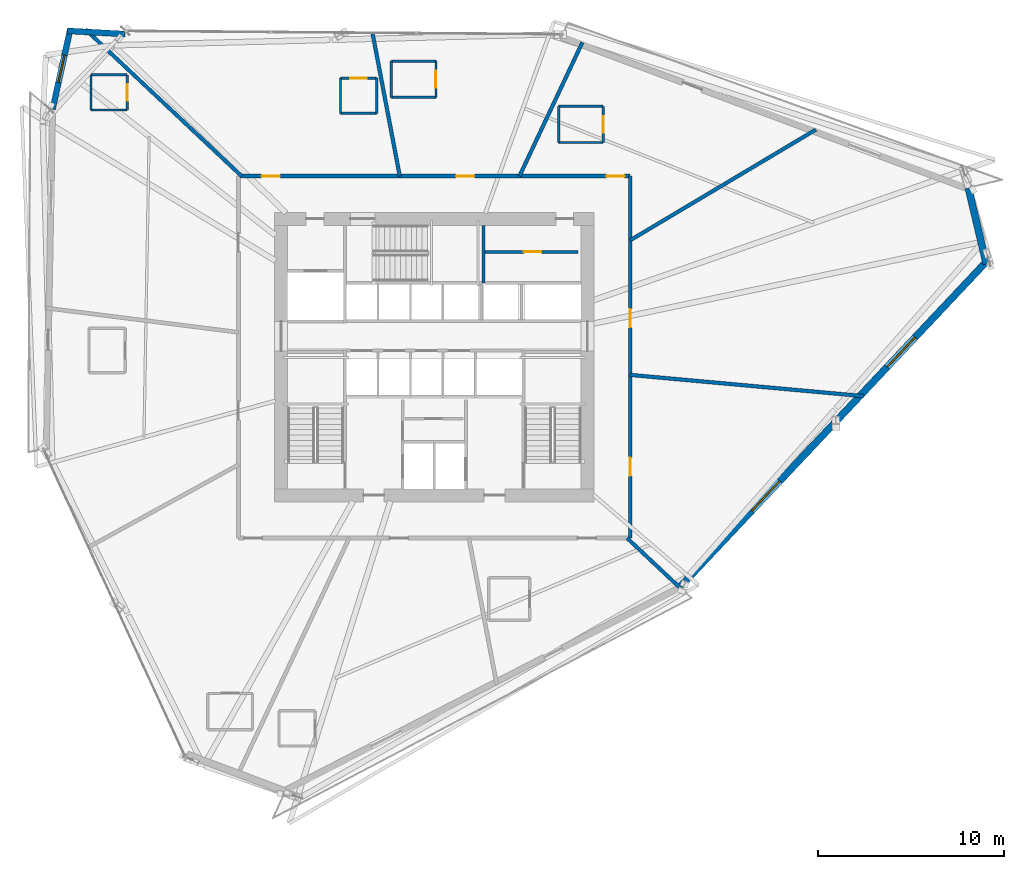
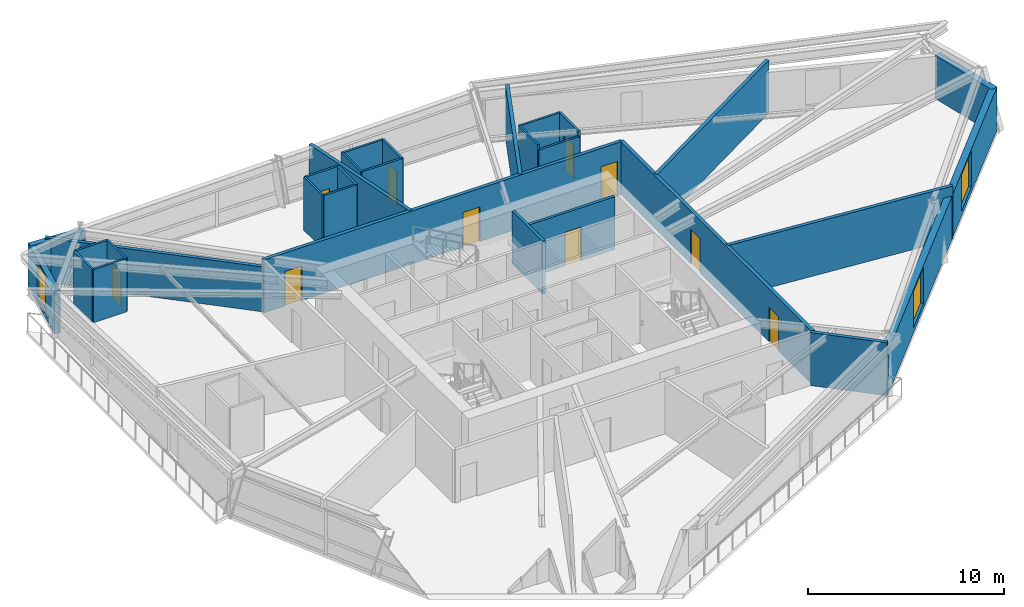
# One storey, part 17 of 22: 30 walls, 10 doors, 3 windows, 13 openings.
"""IFC4 building model written with IfcOpenShell, lengths in metres."""

from ifc_helpers import new_model, si_unit, direction, frame, frame_2d, origin, place, context, subcontext, project, spatial, rectangle, extrude, source, transform, mapped, material, layer, layer_set, type_object, type_shapes, element, fill, save


model = new_model("IFC4")

# Units and contexts
model_context = context("Model", 3, precision=1e-05, world=origin(), true_north=direction((0.0, 1.0)))
body_context = subcontext(model_context, "Body", "Model", "MODEL_VIEW")
ifc_project = project(units=[si_unit("LENGTHUNIT", "METRE"), si_unit("AREAUNIT", "SQUARE_METRE"), si_unit("VOLUMEUNIT", "CUBIC_METRE"), si_unit("PLANEANGLEUNIT", "RADIAN"), si_unit("MASSUNIT", "GRAM", prefix="KILO")], contexts=[model_context])

# Site, building, storey
site_placement = place(None, origin())
site = spatial("IfcSite", under=ifc_project, at=site_placement, CompositionType="ELEMENT")
building_placement = place(site_placement, origin())
building = spatial("IfcBuilding", under=site, at=building_placement, Name="Olszyna Solenne Hotel", CompositionType="ELEMENT")
storey_placement = place(building_placement, frame((0.0, 0.0, 95.050048828125)))
storey = spatial("IfcBuildingStorey", under=building, at=storey_placement, Name="L24", CompositionType="ELEMENT", Elevation=95.050048828125)

# Wall, opening, window
ifc_material_1 = material(Name="Precast concrete C45/55", Category="concrete")
ifc_layer_1 = layer(ifc_material_1, 0.320068359375, Name="Precast concrete C45/55")
ifc_layer_set_1 = layer_set([ifc_layer_1], Name="Precast concrete C45/55")
wall_type_1 = type_object("IfcWallType", Name="WL-EX320", PredefinedType="SOLIDWALL", material=ifc_layer_set_1)
wall_1_placement = place(storey_placement, frame((17.434814453125, 39.94775390625, 0.0), z_axis=(0.0, 0.0, 1.0), x_axis=(0.215641796387, 0.97647253707, 0.0)))
wall_1 = element("IfcWall", 1, at=wall_1_placement, inside=storey, type_object=wall_type_1, Name="Exterior terracotta-precast frame wall WL-EX320 EW-L24-05", PredefinedType="SOLIDWALL", context=body_context, shape_type="SweptSolid", body=[
    extrude(rectangle(XDim=4.453857421875, YDim=0.320068359375, at=frame_2d((2.22705078125, 0.0))), origin(), (0.0, 0.0, 1.0), 2.69189453125),
])
opening_1_placement = place(wall_1_placement, frame((1.47705078125, 0.0, 0.27197265625)))
opening_1 = element("IfcOpeningElement", 2, at=opening_1_placement, cuts=wall_1, Name="Opening WN-L24-129", PredefinedType="OPENING", context=body_context, shape_type="SweptSolid", body=[
    extrude(rectangle(XDim=1.5, YDim=2.300048828125, at=frame_2d((0.75, 1.14990234375))), frame((0.0, 0.169921875, 0.0), z_axis=(0.0, -1.0, 0.0), x_axis=(1.0, 0.0, 0.0)), (0.0, 0.0, 1.0), 0.340087890625),
])
ifc_material_2 = material(Name="Low-E triple glazing", Category="glass")
window_type_1 = type_object("IfcWindowType", Name="WN-CH1", PartitioningType="SINGLE_PANEL", PredefinedType="WINDOW", material=ifc_material_2)
shared_shape_1 = source(origin(), body_context, "Body", "SweptSolid", [
    extrude(rectangle(XDim=1.5, YDim=2.300048828125, at=frame_2d((0.75, 1.14990234375))), frame((0.0, 0.030029296875, 0.0), z_axis=(0.0, -1.0, 0.0), x_axis=(1.0, 0.0, 0.0)), (0.0, 0.0, 1.0), 0.06005859375),
])
type_shapes(window_type_1, [shared_shape_1])
window_1_placement = place(opening_1_placement, origin())
window_1 = element("IfcWindow", 3, at=window_1_placement, inside=storey, type_object=window_type_1, Name="Exterior facade window WN-CH1 WN-L24-129", OverallHeight=2.300048828125, OverallWidth=1.5, PartitioningType="SINGLE_PANEL", PredefinedType="WINDOW", context=body_context, shape_type="MappedRepresentation", body=[
    mapped(shared_shape_1, transform((0.0, 0.0, 0.0), x_axis=(1.0, 0.0, 0.0), y_axis=(0.0, 1.0, 0.0), z_axis=(0.0, 0.0, 1.0), scale=1.0)),
])
fill(opening_1, window_1)

# Walls
wall_2_placement = place(storey_placement, frame((18.22998046875, 44.171630859375, 0.0), z_axis=(0.0, 0.0, 1.0), x_axis=(0.998463722638, -0.055409336544, 0.0)))
element("IfcWall", 4, at=wall_2_placement, inside=storey, type_object=wall_type_1, Name="Exterior terracotta-precast frame wall WL-EX320 EW-L24-06", PredefinedType="SOLIDWALL", context=body_context, shape_type="SweptSolid", body=[
    extrude(rectangle(XDim=3.11962890625, YDim=0.320068359375, at=frame_2d((1.559814453125, 0.0))), origin(), (0.0, 0.0, 1.0), 2.69189453125),
])
ifc_material_3 = material(Name="Terracotta cladding on precast concrete C45/55", Category="masonry")
ifc_layer_2 = layer(ifc_material_3, 0.3798828125, Name="Terracotta cladding on precast concrete C45/55")
ifc_layer_set_2 = layer_set([ifc_layer_2], Name="Terracotta cladding on precast concrete C45/55")
wall_type_2 = type_object("IfcWallType", Name="WL-EX380", PredefinedType="SOLIDWALL", material=ifc_layer_set_2)
wall_3_placement = place(storey_placement, frame((66.76953125, 35.70751953125, 0.0), z_axis=(0.0, 0.0, 1.0), x_axis=(0.229223557935, -0.973373803062, 0.0)))
element("IfcWall", 5, at=wall_3_placement, inside=storey, type_object=wall_type_2, Name="Exterior terracotta-precast frame wall WL-EX380 EW-L24-09", PredefinedType="SOLIDWALL", context=body_context, shape_type="SweptSolid", body=[
    extrude(rectangle(XDim=4.210205078125, YDim=0.3798828125, at=frame_2d((2.10498046875, 0.0))), origin(), (0.0, 0.0, 1.0), 2.69189453125),
])

# Wall, openings, windows
wall_4_placement = place(storey_placement, frame((67.78125, 31.783203125, 0.0), z_axis=(0.0, 0.0, 1.0), x_axis=(-0.68571495336, -0.727870182614, 0.0)))
wall_4 = element("IfcWall", 6, at=wall_4_placement, inside=storey, type_object=wall_type_2, Name="Exterior terracotta-precast frame wall WL-EX380 EW-L24-10", PredefinedType="SOLIDWALL", context=body_context, shape_type="SweptSolid", body=[
    extrude(rectangle(XDim=24.150390625, YDim=0.3798828125, at=frame_2d((12.0751953125, 0.0))), origin(), (0.0, 0.0, 1.0), 2.69189453125),
])
opening_2_placement = place(wall_4_placement, frame((5.662109375, 0.0, 0.322021484375)))
opening_2 = element("IfcOpeningElement", 7, at=opening_2_placement, cuts=wall_4, Name="Opening WN-L24-131", PredefinedType="OPENING", context=body_context, shape_type="SweptSolid", body=[
    extrude(rectangle(XDim=2.199951171875, YDim=2.25, at=frame_2d((1.10009765625, 1.125))), frame((0.0, 0.199951171875, 0.0), z_axis=(0.0, -1.0, 0.0), x_axis=(1.0, 0.0, 0.0)), (0.0, 0.0, 1.0), 0.39990234375),
])
opening_3_placement = place(wall_4_placement, frame((16.2880859375, 0.0, 0.322021484375)))
opening_3 = element("IfcOpeningElement", 8, at=opening_3_placement, cuts=wall_4, Name="Opening WN-L24-132", PredefinedType="OPENING", context=body_context, shape_type="SweptSolid", body=[
    extrude(rectangle(XDim=2.199951171875, YDim=2.25, at=frame_2d((1.10009765625, 1.125))), frame((0.0, 0.199951171875, 0.0), z_axis=(0.0, -1.0, 0.0), x_axis=(1.0, 0.0, 0.0)), (0.0, 0.0, 1.0), 0.39990234375),
])
window_type_2 = type_object("IfcWindowType", Name="WN-HT2", PartitioningType="SINGLE_PANEL", PredefinedType="WINDOW", material=ifc_material_2)
shared_shape_2 = source(origin(), body_context, "Body", "SweptSolid", [
    extrude(rectangle(XDim=2.199951171875, YDim=2.25, at=frame_2d((1.10009765625, 1.125))), frame((0.0, 0.030029296875, 0.0), z_axis=(0.0, -1.0, 0.0), x_axis=(1.0, 0.0, 0.0)), (0.0, 0.0, 1.0), 0.06005859375),
])
type_shapes(window_type_2, [shared_shape_2])
window_2_placement = place(opening_2_placement, origin())
window_2 = element("IfcWindow", 9, at=window_2_placement, inside=storey, type_object=window_type_2, Name="Exterior facade window WN-HT2 WN-L24-131", OverallHeight=2.25, OverallWidth=2.199951171875, PartitioningType="SINGLE_PANEL", PredefinedType="WINDOW", context=body_context, shape_type="MappedRepresentation", body=[
    mapped(shared_shape_2, transform((0.0, 0.0, 0.0), x_axis=(1.0, 0.0, 0.0), y_axis=(0.0, 1.0, 0.0), z_axis=(0.0, 0.0, 1.0), scale=1.0)),
])
fill(opening_2, window_2)
window_3_placement = place(opening_3_placement, origin())
window_3 = element("IfcWindow", 10, at=window_3_placement, inside=storey, type_object=window_type_2, Name="Exterior facade window WN-HT2 WN-L24-132", OverallHeight=2.25, OverallWidth=2.199951171875, PartitioningType="SINGLE_PANEL", PredefinedType="WINDOW", context=body_context, shape_type="MappedRepresentation", body=[
    mapped(shared_shape_2, transform((0.0, 0.0, 0.0), x_axis=(1.0, 0.0, 0.0), y_axis=(0.0, 1.0, 0.0), z_axis=(0.0, 0.0, 1.0), scale=1.0)),
])
fill(opening_3, window_3)

# Wall, opening, door
ifc_material_4 = material(Name="Acoustic gypsum partition", Category="gypsum")
ifc_layer_3 = layer(ifc_material_4, 0.125, Name="Acoustic gypsum partition")
ifc_layer_set_3 = layer_set([ifc_layer_3], Name="Acoustic gypsum partition")
wall_type_3 = type_object("IfcWallType", Name="WL-PT125", PredefinedType="PARTITIONING", material=ifc_layer_set_3)
wall_5_placement = place(storey_placement, frame((38.087890625, 40.587890625, 0.0), z_axis=(0.0, 0.0, 1.0), x_axis=(0.0, 1.0, 0.0)))
wall_5 = element("IfcWall", 11, at=wall_5_placement, inside=storey, type_object=wall_type_3, Name="Interior acoustic partition WL-PT125 PW-L24-1381", PredefinedType="PARTITIONING", context=body_context, shape_type="SweptSolid", body=[
    extrude(rectangle(XDim=1.9501953125, YDim=0.125, at=frame_2d((0.97509765625, 0.0))), origin(), (0.0, 0.0, 1.0), 3.300048828125),
])
opening_4_placement = place(wall_5_placement, frame((0.52490234375, 0.0, 0.0)))
opening_4 = element("IfcOpeningElement", 12, at=opening_4_placement, cuts=wall_5, Name="Opening DR-L24-0322", PredefinedType="OPENING", context=body_context, shape_type="SweptSolid", body=[
    extrude(rectangle(XDim=0.89990234375, YDim=2.10009765625, at=frame_2d((0.449951171875, 1.050048828125))), frame((0.0, 0.072509765625, 0.0), z_axis=(0.0, -1.0, 0.0), x_axis=(1.0, 0.0, 0.0)), (0.0, 0.0, 1.0), 0.14501953125),
])
ifc_material_5 = material(Name="Timber hardwood", Category="wood")
door_type_1 = type_object("IfcDoorType", Name="DR-WC1", OperationType="NOTDEFINED", PredefinedType="DOOR", material=ifc_material_5)
shared_shape_3 = source(origin(), body_context, "Body", "SweptSolid", [
    extrude(rectangle(XDim=0.89990234375, YDim=2.10009765625, at=frame_2d((0.449951171875, 1.050048828125))), frame((0.0, 0.02490234375, 0.0), z_axis=(0.0, -1.0, 0.0), x_axis=(1.0, 0.0, 0.0)), (0.0, 0.0, 1.0), 0.050048828125),
])
type_shapes(door_type_1, [shared_shape_3])
door_1_placement = place(opening_4_placement, origin())
door_1 = element("IfcDoor", 13, at=door_1_placement, inside=storey, type_object=door_type_1, Name="En-Suite Bathroom Door DR-L24-0322", OperationType="SINGLE_SWING_LEFT", OverallHeight=2.10009765625, OverallWidth=0.89990234375, PredefinedType="DOOR", context=body_context, shape_type="MappedRepresentation", body=[
    mapped(shared_shape_3, transform((0.0, 0.0, 0.0), x_axis=(1.0, 0.0, 0.0), y_axis=(0.0, 1.0, 0.0), z_axis=(0.0, 0.0, 1.0), scale=1.0)),
])
fill(opening_4, door_1)

# Walls
wall_6_placement = place(storey_placement, frame((38.087890625, 42.5380859375, 0.0), z_axis=(0.0, 0.0, 1.0), x_axis=(-1.0, 0.0, 0.0)))
element("IfcWall", 14, at=wall_6_placement, inside=storey, type_object=wall_type_3, Name="Interior acoustic partition WL-PT125 PW-L24-1382", PredefinedType="PARTITIONING", context=body_context, shape_type="SweptSolid", body=[
    extrude(rectangle(XDim=2.39990234375, YDim=0.125, at=frame_2d((1.199951171875, 0.0))), origin(), (0.0, 0.0, 1.0), 3.300048828125),
])
wall_7_placement = place(storey_placement, frame((35.68798828125, 42.5380859375, 0.0), z_axis=(0.0, 0.0, 1.0), x_axis=(0.0, -1.0, 0.0)))
element("IfcWall", 15, at=wall_7_placement, inside=storey, type_object=wall_type_3, Name="Interior acoustic partition WL-PT125 PW-L24-1383", PredefinedType="PARTITIONING", context=body_context, shape_type="SweptSolid", body=[
    extrude(rectangle(XDim=1.9501953125, YDim=0.125, at=frame_2d((0.97509765625, 0.0))), origin(), (0.0, 0.0, 1.0), 3.300048828125),
])
wall_8_placement = place(storey_placement, frame((35.68798828125, 40.587890625, 0.0), z_axis=(0.0, 0.0, 1.0), x_axis=(1.0, 0.0, 0.0)))
element("IfcWall", 16, at=wall_8_placement, inside=storey, type_object=wall_type_3, Name="Interior acoustic partition WL-PT125 PW-L24-1384", PredefinedType="PARTITIONING", context=body_context, shape_type="SweptSolid", body=[
    extrude(rectangle(XDim=2.39990234375, YDim=0.125, at=frame_2d((1.199951171875, 0.0))), origin(), (0.0, 0.0, 1.0), 3.300048828125),
])
wall_9_placement = place(storey_placement, frame((34.89599609375, 39.72607421875, 0.0), z_axis=(0.0, 0.0, 1.0), x_axis=(0.0, 1.0, 0.0)))
element("IfcWall", 17, at=wall_9_placement, inside=storey, type_object=wall_type_3, Name="Interior acoustic partition WL-PT125 PW-L24-1385", PredefinedType="PARTITIONING", context=body_context, shape_type="SweptSolid", body=[
    extrude(rectangle(XDim=1.89990234375, YDim=0.125, at=frame_2d((0.949951171875, 0.0))), origin(), (0.0, 0.0, 1.0), 3.300048828125),
])

# Wall, opening, door
wall_10_placement = place(storey_placement, frame((34.89599609375, 41.6259765625, 0.0), z_axis=(0.0, 0.0, 1.0), x_axis=(-1.0, 0.0, 0.0)))
wall_10 = element("IfcWall", 18, at=wall_10_placement, inside=storey, type_object=wall_type_3, Name="Interior acoustic partition WL-PT125 PW-L24-1386", PredefinedType="PARTITIONING", context=body_context, shape_type="SweptSolid", body=[
    extrude(rectangle(XDim=1.949951171875, YDim=0.125, at=frame_2d((0.97509765625, 0.0))), origin(), (0.0, 0.0, 1.0), 3.300048828125),
])
opening_5_placement = place(wall_10_placement, frame((0.52490234375, 0.0, 0.0)))
opening_5 = element("IfcOpeningElement", 19, at=opening_5_placement, cuts=wall_10, Name="Opening DR-L24-0323", PredefinedType="OPENING", context=body_context, shape_type="SweptSolid", body=[
    extrude(rectangle(XDim=0.89990234375, YDim=2.10009765625, at=frame_2d((0.449951171875, 1.050048828125))), frame((0.0, 0.072509765625, 0.0), z_axis=(0.0, -1.0, 0.0), x_axis=(1.0, 0.0, 0.0)), (0.0, 0.0, 1.0), 0.14501953125),
])
door_2_placement = place(opening_5_placement, origin())
door_2 = element("IfcDoor", 20, at=door_2_placement, inside=storey, type_object=door_type_1, Name="En-Suite Bathroom Door DR-L24-0323", OperationType="SINGLE_SWING_RIGHT", OverallHeight=2.10009765625, OverallWidth=0.89990234375, PredefinedType="DOOR", context=body_context, shape_type="MappedRepresentation", body=[
    mapped(shared_shape_3, transform((0.0, 0.0, 0.0), x_axis=(1.0, 0.0, 0.0), y_axis=(0.0, 1.0, 0.0), z_axis=(0.0, 0.0, 1.0), scale=1.0)),
])
fill(opening_5, door_2)

# Walls
wall_11_placement = place(storey_placement, frame((32.946044921875, 41.6259765625, 0.0), z_axis=(0.0, 0.0, 1.0), x_axis=(0.0, -1.0, 0.0)))
element("IfcWall", 21, at=wall_11_placement, inside=storey, type_object=wall_type_3, Name="Interior acoustic partition WL-PT125 PW-L24-1387", PredefinedType="PARTITIONING", context=body_context, shape_type="SweptSolid", body=[
    extrude(rectangle(XDim=1.89990234375, YDim=0.125, at=frame_2d((0.949951171875, 0.0))), origin(), (0.0, 0.0, 1.0), 3.300048828125),
])
wall_12_placement = place(storey_placement, frame((32.946044921875, 39.72607421875, 0.0), z_axis=(0.0, 0.0, 1.0), x_axis=(1.0, 0.0, 0.0)))
element("IfcWall", 22, at=wall_12_placement, inside=storey, type_object=wall_type_3, Name="Interior acoustic partition WL-PT125 PW-L24-1388", PredefinedType="PARTITIONING", context=body_context, shape_type="SweptSolid", body=[
    extrude(rectangle(XDim=1.949951171875, YDim=0.125, at=frame_2d((0.97509765625, 0.0))), origin(), (0.0, 0.0, 1.0), 3.300048828125),
])

# Wall, opening, door
wall_13_placement = place(storey_placement, frame((21.458984375, 39.906005859375, 0.0), z_axis=(0.0, 0.0, 1.0), x_axis=(0.0, 1.0, 0.0)))
wall_13 = element("IfcWall", 23, at=wall_13_placement, inside=storey, type_object=wall_type_3, Name="Interior acoustic partition WL-PT125 PW-L24-1389", PredefinedType="PARTITIONING", context=body_context, shape_type="SweptSolid", body=[
    extrude(rectangle(XDim=1.89990234375, YDim=0.125, at=frame_2d((0.949951171875, 0.0))), origin(), (0.0, 0.0, 1.0), 3.300048828125),
])
opening_6_placement = place(wall_13_placement, frame((0.5, 0.0, 0.0)))
opening_6 = element("IfcOpeningElement", 24, at=opening_6_placement, cuts=wall_13, Name="Opening DR-L24-0324", PredefinedType="OPENING", context=body_context, shape_type="SweptSolid", body=[
    extrude(rectangle(XDim=0.89990234375, YDim=2.10009765625, at=frame_2d((0.449951171875, 1.050048828125))), frame((0.0, 0.072509765625, 0.0), z_axis=(0.0, -1.0, 0.0), x_axis=(1.0, 0.0, 0.0)), (0.0, 0.0, 1.0), 0.14501953125),
])
door_3_placement = place(opening_6_placement, origin())
door_3 = element("IfcDoor", 25, at=door_3_placement, inside=storey, type_object=door_type_1, Name="En-Suite Bathroom Door DR-L24-0324", OperationType="SINGLE_SWING_LEFT", OverallHeight=2.10009765625, OverallWidth=0.89990234375, PredefinedType="DOOR", context=body_context, shape_type="MappedRepresentation", body=[
    mapped(shared_shape_3, transform((0.0, 0.0, 0.0), x_axis=(1.0, 0.0, 0.0), y_axis=(0.0, 1.0, 0.0), z_axis=(0.0, 0.0, 1.0), scale=1.0)),
])
fill(opening_6, door_3)

# Walls
wall_14_placement = place(storey_placement, frame((21.458984375, 41.805908203125, 0.0), z_axis=(0.0, 0.0, 1.0), x_axis=(-1.0, 0.0, 0.0)))
element("IfcWall", 26, at=wall_14_placement, inside=storey, type_object=wall_type_3, Name="Interior acoustic partition WL-PT125 PW-L24-1390", PredefinedType="PARTITIONING", context=body_context, shape_type="SweptSolid", body=[
    extrude(rectangle(XDim=1.949951171875, YDim=0.125, at=frame_2d((0.97509765625, 0.0))), origin(), (0.0, 0.0, 1.0), 3.300048828125),
])
wall_15_placement = place(storey_placement, frame((19.509033203125, 41.805908203125, 0.0), z_axis=(0.0, 0.0, 1.0), x_axis=(0.0, -1.0, 0.0)))
element("IfcWall", 27, at=wall_15_placement, inside=storey, type_object=wall_type_3, Name="Interior acoustic partition WL-PT125 PW-L24-1391", PredefinedType="PARTITIONING", context=body_context, shape_type="SweptSolid", body=[
    extrude(rectangle(XDim=1.89990234375, YDim=0.125, at=frame_2d((0.949951171875, 0.0))), origin(), (0.0, 0.0, 1.0), 3.300048828125),
])
wall_16_placement = place(storey_placement, frame((19.509033203125, 39.906005859375, 0.0), z_axis=(0.0, 0.0, 1.0), x_axis=(1.0, 0.0, 0.0)))
element("IfcWall", 28, at=wall_16_placement, inside=storey, type_object=wall_type_3, Name="Interior acoustic partition WL-PT125 PW-L24-1392", PredefinedType="PARTITIONING", context=body_context, shape_type="SweptSolid", body=[
    extrude(rectangle(XDim=1.949951171875, YDim=0.125, at=frame_2d((0.97509765625, 0.0))), origin(), (0.0, 0.0, 1.0), 3.300048828125),
])

# Wall, opening, door
wall_17_placement = place(storey_placement, frame((47.094970703125, 38.154052734375, 0.0), z_axis=(0.0, 0.0, 1.0), x_axis=(0.0, 1.0, 0.0)))
wall_17 = element("IfcWall", 29, at=wall_17_placement, inside=storey, type_object=wall_type_3, Name="Interior acoustic partition WL-PT125 PW-L24-1409", PredefinedType="PARTITIONING", context=body_context, shape_type="SweptSolid", body=[
    extrude(rectangle(XDim=1.949951171875, YDim=0.125, at=frame_2d((0.97509765625, 0.0))), origin(), (0.0, 0.0, 1.0), 3.300048828125),
])
opening_7_placement = place(wall_17_placement, frame((0.52490234375, 0.0, 0.0)))
opening_7 = element("IfcOpeningElement", 30, at=opening_7_placement, cuts=wall_17, Name="Opening DR-L24-0329", PredefinedType="OPENING", context=body_context, shape_type="SweptSolid", body=[
    extrude(rectangle(XDim=0.89990234375, YDim=2.10009765625, at=frame_2d((0.449951171875, 1.050048828125))), frame((0.0, 0.072509765625, 0.0), z_axis=(0.0, -1.0, 0.0), x_axis=(1.0, 0.0, 0.0)), (0.0, 0.0, 1.0), 0.14501953125),
])
door_4_placement = place(opening_7_placement, origin())
door_4 = element("IfcDoor", 31, at=door_4_placement, inside=storey, type_object=door_type_1, Name="En-Suite Bathroom Door DR-L24-0329", OperationType="SINGLE_SWING_LEFT", OverallHeight=2.10009765625, OverallWidth=0.89990234375, PredefinedType="DOOR", context=body_context, shape_type="MappedRepresentation", body=[
    mapped(shared_shape_3, transform((0.0, 0.0, 0.0), x_axis=(1.0, 0.0, 0.0), y_axis=(0.0, 1.0, 0.0), z_axis=(0.0, 0.0, 1.0), scale=1.0)),
])
fill(opening_7, door_4)

# Walls
wall_18_placement = place(storey_placement, frame((47.094970703125, 40.10400390625, 0.0), z_axis=(0.0, 0.0, 1.0), x_axis=(-1.0, 0.0, 0.0)))
element("IfcWall", 32, at=wall_18_placement, inside=storey, type_object=wall_type_3, Name="Interior acoustic partition WL-PT125 PW-L24-1410", PredefinedType="PARTITIONING", context=body_context, shape_type="SweptSolid", body=[
    extrude(rectangle(XDim=2.39990234375, YDim=0.125, at=frame_2d((1.199951171875, 0.0))), origin(), (0.0, 0.0, 1.0), 3.300048828125),
])
wall_19_placement = place(storey_placement, frame((44.695068359375, 40.10400390625, 0.0), z_axis=(0.0, 0.0, 1.0), x_axis=(0.0, -1.0, 0.0)))
element("IfcWall", 33, at=wall_19_placement, inside=storey, type_object=wall_type_3, Name="Interior acoustic partition WL-PT125 PW-L24-1411", PredefinedType="PARTITIONING", context=body_context, shape_type="SweptSolid", body=[
    extrude(rectangle(XDim=1.949951171875, YDim=0.125, at=frame_2d((0.97509765625, 0.0))), origin(), (0.0, 0.0, 1.0), 3.300048828125),
])
wall_20_placement = place(storey_placement, frame((44.695068359375, 38.154052734375, 0.0), z_axis=(0.0, 0.0, 1.0), x_axis=(1.0, 0.0, 0.0)))
element("IfcWall", 34, at=wall_20_placement, inside=storey, type_object=wall_type_3, Name="Interior acoustic partition WL-PT125 PW-L24-1412", PredefinedType="PARTITIONING", context=body_context, shape_type="SweptSolid", body=[
    extrude(rectangle(XDim=2.39990234375, YDim=0.125, at=frame_2d((1.199951171875, 0.0))), origin(), (0.0, 0.0, 1.0), 2.98486328125),
])
ifc_layer_4 = layer(ifc_material_4, 0.159912109375, Name="Acoustic gypsum partition")
ifc_layer_set_4 = layer_set([ifc_layer_4], Name="Acoustic gypsum partition")
wall_type_4 = type_object("IfcWallType", Name="WL-PT160", PredefinedType="PARTITIONING", material=ifc_layer_set_4)
wall_21_placement = place(storey_placement, frame((40.659912109375, 30.60009765625, 0.0), z_axis=(0.0, 0.0, 1.0), x_axis=(0.0, 1.0, 0.0)))
element("IfcWall", 35, at=wall_21_placement, inside=storey, type_object=wall_type_4, Name="Core shaft compartment wall CW-L24-ST3E", PredefinedType="PARTITIONING", context=body_context, shape_type="SweptSolid", body=[
    extrude(rectangle(XDim=3.099853515625, YDim=0.159912109375, at=frame_2d((1.5498046875, 0.0))), origin(), (0.0, 0.0, 1.0), 3.300048828125),
])

# Wall, opening, door
wall_22_placement = place(storey_placement, frame((40.719970703125, 32.27001953125, 0.0), z_axis=(0.0, 0.0, 1.0), x_axis=(1.0, 0.0, 0.0)))
wall_22 = element("IfcWall", 36, at=wall_22_placement, inside=storey, type_object=wall_type_4, Name="Core shaft compartment wall CW-L24-BOH2", PredefinedType="PARTITIONING", context=body_context, shape_type="SweptSolid", body=[
    extrude(rectangle(XDim=5.030029296875, YDim=0.159912109375, at=frame_2d((2.51513671875, 0.0))), origin(), (0.0, 0.0, 1.0), 3.300048828125),
])
opening_8_placement = place(wall_22_placement, frame((2.10009765625, 0.0, 0.0)))
opening_8 = element("IfcOpeningElement", 37, at=opening_8_placement, cuts=wall_22, Name="Opening SVD-L24-BI2", PredefinedType="OPENING", context=body_context, shape_type="SweptSolid", body=[
    extrude(rectangle(XDim=0.949951171875, YDim=2.10009765625, at=frame_2d((0.47509765625, 1.050048828125))), frame((0.0, 0.08984375, 0.0), z_axis=(0.0, -1.0, 0.0), x_axis=(1.0, 0.0, 0.0)), (0.0, 0.0, 1.0), 0.179931640625),
])
ifc_material_6 = material(Name="Steel S355J2", Category="steel")
door_type_2 = type_object("IfcDoorType", Name="DR-SV1", OperationType="NOTDEFINED", PredefinedType="DOOR", material=ifc_material_6)
shared_shape_4 = source(origin(), body_context, "Body", "SweptSolid", [
    extrude(rectangle(XDim=0.949951171875, YDim=2.10009765625, at=frame_2d((0.47509765625, 1.050048828125))), frame((0.0, 0.02490234375, 0.0), z_axis=(0.0, -1.0, 0.0), x_axis=(1.0, 0.0, 0.0)), (0.0, 0.0, 1.0), 0.050048828125),
])
type_shapes(door_type_2, [shared_shape_4])
door_5_placement = place(opening_8_placement, origin())
door_5 = element("IfcDoor", 38, at=door_5_placement, inside=storey, type_object=door_type_2, Name="BOH inter-room fire door SVD-L24-BI2", OperationType="SINGLE_SWING_RIGHT", OverallHeight=2.10009765625, OverallWidth=0.949951171875, PredefinedType="DOOR", context=body_context, shape_type="MappedRepresentation", body=[
    mapped(shared_shape_4, transform((0.0, 0.0, 0.0), x_axis=(1.0, 0.0, 0.0), y_axis=(0.0, 1.0, 0.0), z_axis=(0.0, 0.0, 1.0), scale=1.0)),
])
fill(opening_8, door_5)

# Walls
ifc_layer_5 = layer(ifc_material_4, 0.199951171875, Name="Acoustic gypsum partition")
ifc_layer_set_5 = layer_set([ifc_layer_5], Name="Acoustic gypsum partition")
wall_type_5 = type_object("IfcWallType", Name="WL-PT200", PredefinedType="PARTITIONING", material=ifc_layer_set_5)
wall_23_placement = place(storey_placement, frame((42.587890625, 36.35009765625, 0.0), z_axis=(0.0, 0.0, 1.0), x_axis=(0.425795558012, 0.904819397878, 0.0)))
element("IfcWall", 39, at=wall_23_placement, inside=storey, type_object=wall_type_5, Name="Interior acoustic partition WL-PT200 PW-L24-1371", PredefinedType="PARTITIONING", context=body_context, shape_type="SweptSolid", body=[
    extrude(rectangle(XDim=7.953369140625, YDim=0.199951171875, at=frame_2d((3.9765625, 0.0))), origin(), (0.0, 0.0, 1.0), 3.300048828125),
])
wall_24_placement = place(storey_placement, frame((36.14013671875, 36.35009765625, 0.0), z_axis=(0.0, 0.0, 1.0), x_axis=(-0.187380505686, 0.982287405034, 0.0)))
element("IfcWall", 40, at=wall_24_placement, inside=storey, type_object=wall_type_5, Name="Interior acoustic partition WL-PT200 PW-L24-1372", PredefinedType="PARTITIONING", context=body_context, shape_type="SweptSolid", body=[
    extrude(rectangle(XDim=7.816162109375, YDim=0.199951171875, at=frame_2d((3.908203125, 0.0))), origin(), (0.0, 0.0, 1.0), 3.300048828125),
])
wall_25_placement = place(storey_placement, frame((27.6171875, 36.35009765625, 0.0), z_axis=(0.0, 0.0, 1.0), x_axis=(-0.728967425023, 0.684548386351, 0.0)))
element("IfcWall", 41, at=wall_25_placement, inside=storey, type_object=wall_type_5, Name="Interior acoustic partition WL-PT200 PW-L24-1373", PredefinedType="PARTITIONING", context=body_context, shape_type="SweptSolid", body=[
    extrude(rectangle(XDim=11.536865234375, YDim=0.199951171875, at=frame_2d((5.7685546875, 0.0))), origin(), (0.0, 0.0, 1.0), 2.794921875),
])
wall_26_placement = place(storey_placement, frame((48.3828125, 16.85009765625, 0.0), z_axis=(0.0, 0.0, 1.0), x_axis=(0.728946019142, -0.684571180505, 0.0)))
element("IfcWall", 42, at=wall_26_placement, inside=storey, type_object=wall_type_5, Name="Interior acoustic partition WL-PT200 PW-L24-1378", PredefinedType="PARTITIONING", context=body_context, shape_type="SweptSolid", body=[
    extrude(rectangle(XDim=4.03271484375, YDim=0.199951171875, at=frame_2d((2.016357421875, 0.0))), origin(), (0.0, 0.0, 1.0), 3.300048828125),
])
wall_27_placement = place(storey_placement, frame((48.550048828125, 25.639892578125, 0.0), z_axis=(0.0, 0.0, 1.0), x_axis=(0.995884491885, -0.090631555338, 0.0)))
element("IfcWall", 43, at=wall_27_placement, inside=storey, type_object=wall_type_5, Name="Interior acoustic partition WL-PT200 PW-L24-1379", PredefinedType="PARTITIONING", context=body_context, shape_type="SweptSolid", body=[
    extrude(rectangle(XDim=12.636474609375, YDim=0.199951171875, at=frame_2d((6.318359375, 0.0))), origin(), (0.0, 0.0, 1.0), 3.300048828125),
])
wall_28_placement = place(storey_placement, frame((48.550048828125, 32.88916015625, 0.0), z_axis=(0.0, 0.0, 1.0), x_axis=(0.858967185963, 0.512030637208, 0.0)))
element("IfcWall", 44, at=wall_28_placement, inside=storey, type_object=wall_type_5, Name="Interior acoustic partition WL-PT200 PW-L24-1380", PredefinedType="PARTITIONING", context=body_context, shape_type="SweptSolid", body=[
    extrude(rectangle(XDim=11.64697265625, YDim=0.199951171875, at=frame_2d((5.823486328125, 0.0))), origin(), (0.0, 0.0, 1.0), 3.300048828125),
])

# Wall, openings, doors
wall_29_placement = place(storey_placement, frame((27.449951171875, 36.35009765625, 0.0), z_axis=(0.0, 0.0, 1.0), x_axis=(1.0, 0.0, 0.0)))
wall_29 = element("IfcWall", 45, at=wall_29_placement, inside=storey, type_object=wall_type_5, Name="Interior acoustic partition WL-PT200 PW-L24-1415", PredefinedType="PARTITIONING", context=body_context, shape_type="SweptSolid", body=[
    extrude(rectangle(XDim=21.10009765625, YDim=0.199951171875, at=frame_2d((10.550048828125, 0.0))), origin(), (0.0, 0.0, 1.0), 3.300048828125),
])
opening_9_placement = place(wall_29_placement, frame((11.721923828125, 0.0, 0.0)))
opening_9 = element("IfcOpeningElement", 46, at=opening_9_placement, cuts=wall_29, Name="Opening DR-L24-0335", PredefinedType="OPENING", context=body_context, shape_type="SweptSolid", body=[
    extrude(rectangle(XDim=0.97998046875, YDim=2.14990234375, at=frame_2d((0.489990234375, 1.074951171875))), frame((0.0, 0.10986328125, 0.0), z_axis=(0.0, -1.0, 0.0), x_axis=(1.0, 0.0, 0.0)), (0.0, 0.0, 1.0), 0.219970703125),
])
opening_10_placement = place(wall_29_placement, frame((1.25, 0.0, 0.0)))
opening_10 = element("IfcOpeningElement", 47, at=opening_10_placement, cuts=wall_29, Name="Opening DR-L24-0336", PredefinedType="OPENING", context=body_context, shape_type="SweptSolid", body=[
    extrude(rectangle(XDim=0.97998046875, YDim=2.14990234375, at=frame_2d((0.489990234375, 1.074951171875))), frame((0.0, 0.10986328125, 0.0), z_axis=(0.0, -1.0, 0.0), x_axis=(1.0, 0.0, 0.0)), (0.0, 0.0, 1.0), 0.219970703125),
])
opening_11_placement = place(wall_29_placement, frame((19.820068359375, 0.0, 0.0)))
opening_11 = element("IfcOpeningElement", 48, at=opening_11_placement, cuts=wall_29, Name="Opening DR-L24-0337", PredefinedType="OPENING", context=body_context, shape_type="SweptSolid", body=[
    extrude(rectangle(XDim=0.97998046875, YDim=2.14990234375, at=frame_2d((0.489990234375, 1.074951171875))), frame((0.0, 0.10986328125, 0.0), z_axis=(0.0, -1.0, 0.0), x_axis=(1.0, 0.0, 0.0)), (0.0, 0.0, 1.0), 0.219970703125),
])
door_type_3 = type_object("IfcDoorType", Name="DR-RM1", OperationType="NOTDEFINED", PredefinedType="DOOR", material=ifc_material_5)
shared_shape_5 = source(origin(), body_context, "Body", "SweptSolid", [
    extrude(rectangle(XDim=0.97998046875, YDim=2.14990234375, at=frame_2d((0.489990234375, 1.074951171875))), frame((0.0, 0.02490234375, 0.0), z_axis=(0.0, -1.0, 0.0), x_axis=(1.0, 0.0, 0.0)), (0.0, 0.0, 1.0), 0.050048828125),
])
type_shapes(door_type_3, [shared_shape_5])
door_6_placement = place(opening_9_placement, origin())
door_6 = element("IfcDoor", 49, at=door_6_placement, inside=storey, type_object=door_type_3, Name="Deluxe Hotel Guestroom Entrance Door DR-L24-0335", OperationType="SINGLE_SWING_LEFT", OverallHeight=2.14990234375, OverallWidth=0.97998046875, PredefinedType="DOOR", context=body_context, shape_type="MappedRepresentation", body=[
    mapped(shared_shape_5, transform((0.0, 0.0, 0.0), x_axis=(1.0, 0.0, 0.0), y_axis=(0.0, 1.0, 0.0), z_axis=(0.0, 0.0, 1.0), scale=1.0)),
])
fill(opening_9, door_6)
door_7_placement = place(opening_10_placement, origin())
door_7 = element("IfcDoor", 50, at=door_7_placement, inside=storey, type_object=door_type_3, Name="Deluxe Hotel Guestroom Entrance Door DR-L24-0336", OperationType="SINGLE_SWING_RIGHT", OverallHeight=2.14990234375, OverallWidth=0.97998046875, PredefinedType="DOOR", context=body_context, shape_type="MappedRepresentation", body=[
    mapped(shared_shape_5, transform((0.0, 0.0, 0.0), x_axis=(1.0, 0.0, 0.0), y_axis=(0.0, 1.0, 0.0), z_axis=(0.0, 0.0, 1.0), scale=1.0)),
])
fill(opening_10, door_7)
door_8_placement = place(opening_11_placement, origin())
door_8 = element("IfcDoor", 51, at=door_8_placement, inside=storey, type_object=door_type_3, Name="Executive Reading Salon Entrance Door DR-L24-0337", OperationType="SINGLE_SWING_RIGHT", OverallHeight=2.14990234375, OverallWidth=0.97998046875, PredefinedType="DOOR", context=body_context, shape_type="MappedRepresentation", body=[
    mapped(shared_shape_5, transform((0.0, 0.0, 0.0), x_axis=(1.0, 0.0, 0.0), y_axis=(0.0, 1.0, 0.0), z_axis=(0.0, 0.0, 1.0), scale=1.0)),
])
fill(opening_11, door_8)

wall_30_placement = place(storey_placement, frame((48.550048828125, 16.85009765625, 0.0), z_axis=(0.0, 0.0, 1.0), x_axis=(0.0, 1.0, 0.0)))
wall_30 = element("IfcWall", 52, at=wall_30_placement, inside=storey, type_object=wall_type_5, Name="Interior acoustic partition WL-PT200 PW-L24-1416", PredefinedType="PARTITIONING", context=body_context, shape_type="SweptSolid", body=[
    extrude(rectangle(XDim=19.5, YDim=0.199951171875, at=frame_2d((9.75, 0.0))), origin(), (0.0, 0.0, 1.0), 3.300048828125),
])
opening_12_placement = place(wall_30_placement, frame((3.35009765625, 0.0, 0.0)))
opening_12 = element("IfcOpeningElement", 53, at=opening_12_placement, cuts=wall_30, Name="Opening DR-L24-0338", PredefinedType="OPENING", context=body_context, shape_type="SweptSolid", body=[
    extrude(rectangle(XDim=0.97998046875, YDim=2.14990234375, at=frame_2d((0.489990234375, 1.074951171875))), frame((0.0, 0.10986328125, 0.0), z_axis=(0.0, -1.0, 0.0), x_axis=(1.0, 0.0, 0.0)), (0.0, 0.0, 1.0), 0.219970703125),
])
opening_13_placement = place(wall_30_placement, frame((11.35205078125, 0.0, 0.0)))
opening_13 = element("IfcOpeningElement", 54, at=opening_13_placement, cuts=wall_30, Name="Opening DR-L24-0339", PredefinedType="OPENING", context=body_context, shape_type="SweptSolid", body=[
    extrude(rectangle(XDim=0.97998046875, YDim=2.14990234375, at=frame_2d((0.489990234375, 1.074951171875))), frame((0.0, 0.10986328125, 0.0), z_axis=(0.0, -1.0, 0.0), x_axis=(1.0, 0.0, 0.0)), (0.0, 0.0, 1.0), 0.219970703125),
])
door_9_placement = place(opening_12_placement, origin())
door_9 = element("IfcDoor", 55, at=door_9_placement, inside=storey, type_object=door_type_3, Name="Conference Boardroom Entrance Door DR-L24-0338", OperationType="SINGLE_SWING_RIGHT", OverallHeight=2.14990234375, OverallWidth=0.97998046875, PredefinedType="DOOR", context=body_context, shape_type="MappedRepresentation", body=[
    mapped(shared_shape_5, transform((0.0, 0.0, 0.0), x_axis=(1.0, 0.0, 0.0), y_axis=(0.0, 1.0, 0.0), z_axis=(0.0, 0.0, 1.0), scale=1.0)),
])
fill(opening_12, door_9)
door_10_placement = place(opening_13_placement, origin())
door_10 = element("IfcDoor", 56, at=door_10_placement, inside=storey, type_object=door_type_3, Name="Executive Club Lounge Entrance Door DR-L24-0339", OperationType="SINGLE_SWING_LEFT", OverallHeight=2.14990234375, OverallWidth=0.97998046875, PredefinedType="DOOR", context=body_context, shape_type="MappedRepresentation", body=[
    mapped(shared_shape_5, transform((0.0, 0.0, 0.0), x_axis=(1.0, 0.0, 0.0), y_axis=(0.0, 1.0, 0.0), z_axis=(0.0, 0.0, 1.0), scale=1.0)),
])
fill(opening_13, door_10)

save(model, "model.ifc")
